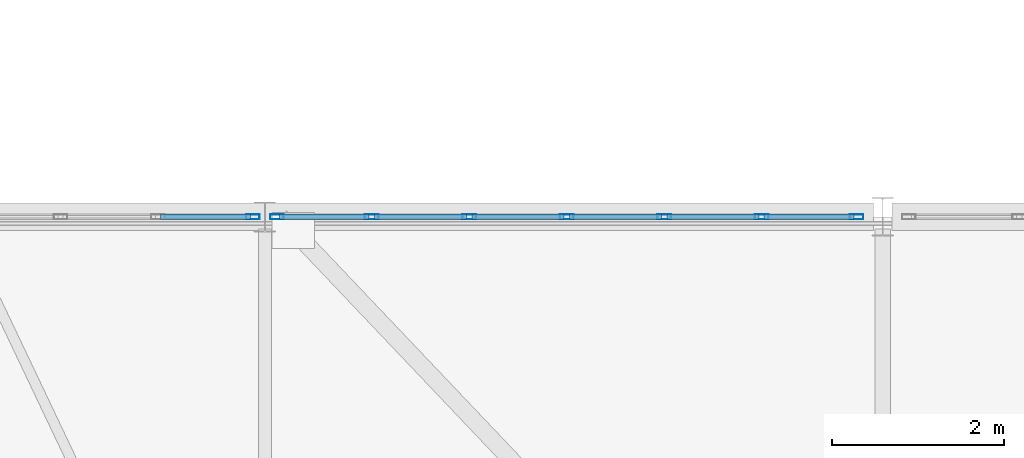
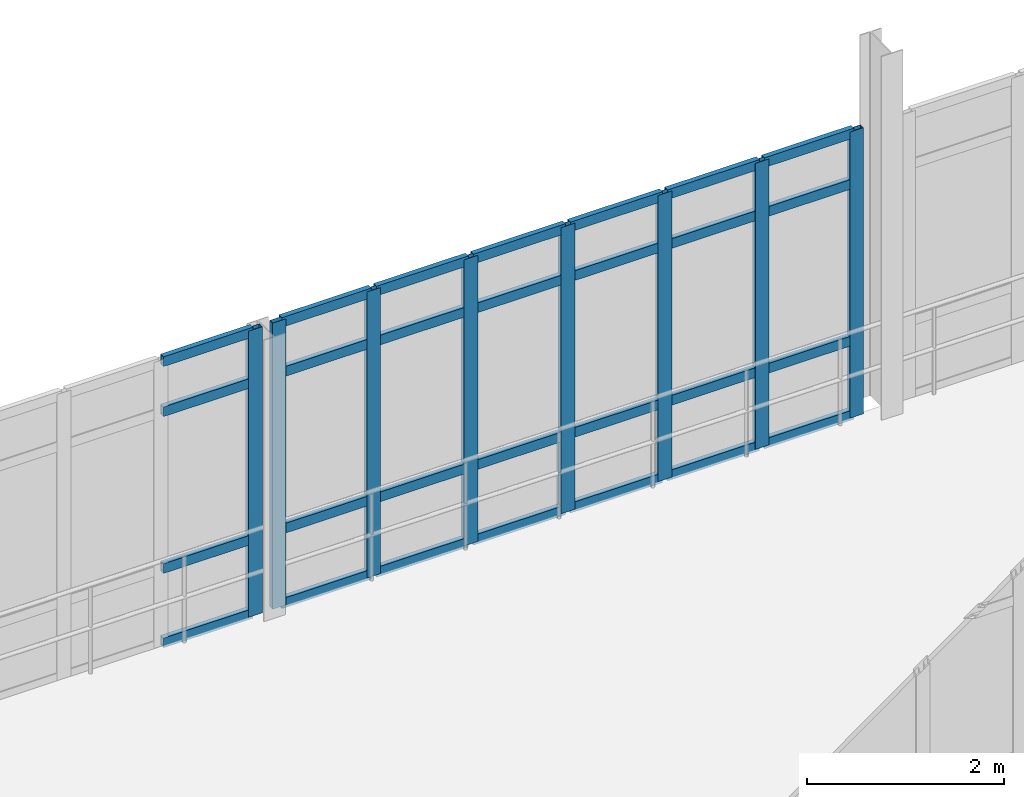
# One storey, part 48 of 124: 36 members, 2 elements without a shape of their own.
"""IFC4 building model written with IfcOpenShell, lengths in metres."""

from ifc_helpers import new_model, si_unit, direction, frame, origin, origin_2d, place, context, subcontext, project, spatial, hollow_rectangle, extrude, material, material_profile, profile_set, type_object, element, aggregate, save


model = new_model("IFC4")

# Units and contexts
model_context = context("Model", 3, precision=1e-05, world=origin(), true_north=direction((0.0, 1.0)))
body_context = subcontext(model_context, "Body", "Model", "MODEL_VIEW")
ifc_project = project(units=[si_unit("LENGTHUNIT", "METRE"), si_unit("AREAUNIT", "SQUARE_METRE"), si_unit("VOLUMEUNIT", "CUBIC_METRE"), si_unit("PLANEANGLEUNIT", "RADIAN"), si_unit("MASSUNIT", "GRAM", prefix="KILO")], contexts=[model_context])

# Site, building, storey
site_placement = place(None, origin())
site = spatial("IfcSite", under=ifc_project, at=site_placement, CompositionType="ELEMENT")
building_placement = place(site_placement, origin())
building = spatial("IfcBuilding", under=site, at=building_placement, Name="Kalluvel Institute of Natural Sciences", CompositionType="ELEMENT")
storey_placement = place(building_placement, frame((0.0, 0.0, 9.89990234375)))
storey = spatial("IfcBuildingStorey", under=building, at=storey_placement, Name="L02", CompositionType="ELEMENT", Elevation=9.89990234375)

# Curtain wall, member
ifc_material = material(Name="Aluminium AW-6063 T6", Category="aluminium")
curtain_wall_type = type_object("IfcCurtainWallType", Name="CW-BRG-45", PredefinedType="USERDEFINED", material=ifc_material)
curtain_wall_1_placement = place(storey_placement, origin())
curtain_wall_1 = element("IfcCurtainWall", 1, at=curtain_wall_1_placement, inside=storey, type_object=curtain_wall_type, Name="L02 Gothic lancet curtain wall CWA-L02-X791-Y356", ObjectType="UNITISED LANCET FACADE", PredefinedType="USERDEFINED")
ifc_material_profile_1 = material_profile(ifc_material, hollow_rectangle(XDim=0.06005859375, YDim=0.159912109375, WallThickness=0.00390625, at=origin_2d()), Name="CWM 60x160")
ifc_profile_set_1 = profile_set([ifc_material_profile_1], Name="Aluminium AW-6063 T6")
member_type_1 = type_object("IfcMemberType", Name="CWM-60x160", PredefinedType="MULLION", material=ifc_profile_set_1)
member_1_placement = place(storey_placement, frame((85.860107421875, 35.60009765625, 0.0), z_axis=(0.0, 0.0, 1.0), x_axis=(0.0, 1.0, 0.0)))
member_1 = element("IfcMember", 2, at=member_1_placement, type_object=member_type_1, Name="CW-07 mullion 7", PredefinedType="MULLION", context=body_context, shape_type="SweptSolid", body=[
    extrude(hollow_rectangle(XDim=0.06005859375, YDim=0.159912109375, WallThickness=0.00390625, at=origin_2d()), origin(), (0.0, 0.0, 1.0), 3.5400390625),
])

# Curtain wall, members
curtain_wall_2_placement = place(storey_placement, origin())
curtain_wall_2 = element("IfcCurtainWall", 3, at=curtain_wall_2_placement, inside=storey, type_object=curtain_wall_type, Name="L02 Gothic lancet curtain wall CWA-L02-X861-Y356", ObjectType="UNITISED LANCET FACADE", PredefinedType="USERDEFINED")
member_2_placement = place(storey_placement, frame((86.139892578125, 35.60009765625, 0.0), z_axis=(0.0, 0.0, 1.0), x_axis=(0.0, 1.0, 0.0)))
member_2 = element("IfcMember", 4, at=member_2_placement, type_object=member_type_1, Name="CW-07 mullion 1", PredefinedType="MULLION", context=body_context, shape_type="SweptSolid", body=[
    extrude(hollow_rectangle(XDim=0.06005859375, YDim=0.159912109375, WallThickness=0.00390625, at=origin_2d()), origin(), (0.0, 0.0, 1.0), 3.5400390625),
])
member_3_placement = place(storey_placement, frame((87.245849609375, 35.60009765625, 0.0), z_axis=(0.0, 0.0, 1.0), x_axis=(0.0, 1.0, 0.0)))
member_3 = element("IfcMember", 5, at=member_3_placement, type_object=member_type_1, Name="CW-07 mullion 2", PredefinedType="MULLION", context=body_context, shape_type="SweptSolid", body=[
    extrude(hollow_rectangle(XDim=0.06005859375, YDim=0.159912109375, WallThickness=0.00390625, at=origin_2d()), origin(), (0.0, 0.0, 1.0), 3.5400390625),
])
member_4_placement = place(storey_placement, frame((88.381591796875, 35.60009765625, 0.0), z_axis=(0.0, 0.0, 1.0), x_axis=(0.0, 1.0, 0.0)))
member_4 = element("IfcMember", 6, at=member_4_placement, type_object=member_type_1, Name="CW-07 mullion 3", PredefinedType="MULLION", context=body_context, shape_type="SweptSolid", body=[
    extrude(hollow_rectangle(XDim=0.06005859375, YDim=0.159912109375, WallThickness=0.00390625, at=origin_2d()), origin(), (0.0, 0.0, 1.0), 3.5400390625),
])
member_5_placement = place(storey_placement, frame((89.517578125, 35.60009765625, 0.0), z_axis=(0.0, 0.0, 1.0), x_axis=(0.0, 1.0, 0.0)))
member_5 = element("IfcMember", 7, at=member_5_placement, type_object=member_type_1, Name="CW-07 mullion 4", PredefinedType="MULLION", context=body_context, shape_type="SweptSolid", body=[
    extrude(hollow_rectangle(XDim=0.06005859375, YDim=0.159912109375, WallThickness=0.00390625, at=origin_2d()), origin(), (0.0, 0.0, 1.0), 3.5400390625),
])
member_6_placement = place(storey_placement, frame((90.6533203125, 35.60009765625, 0.0), z_axis=(0.0, 0.0, 1.0), x_axis=(0.0, 1.0, 0.0)))
member_6 = element("IfcMember", 8, at=member_6_placement, type_object=member_type_1, Name="CW-07 mullion 5", PredefinedType="MULLION", context=body_context, shape_type="SweptSolid", body=[
    extrude(hollow_rectangle(XDim=0.06005859375, YDim=0.159912109375, WallThickness=0.00390625, at=origin_2d()), origin(), (0.0, 0.0, 1.0), 3.5400390625),
])
member_7_placement = place(storey_placement, frame((91.7890625, 35.60009765625, 0.0), z_axis=(0.0, 0.0, 1.0), x_axis=(0.0, 1.0, 0.0)))
member_7 = element("IfcMember", 9, at=member_7_placement, type_object=member_type_1, Name="CW-07 mullion 6", PredefinedType="MULLION", context=body_context, shape_type="SweptSolid", body=[
    extrude(hollow_rectangle(XDim=0.06005859375, YDim=0.159912109375, WallThickness=0.00390625, at=origin_2d()), origin(), (0.0, 0.0, 1.0), 3.5400390625),
])
member_8_placement = place(storey_placement, frame((92.89501953125, 35.60009765625, 0.0), z_axis=(0.0, 0.0, 1.0), x_axis=(0.0, 1.0, 0.0)))
member_8 = element("IfcMember", 10, at=member_8_placement, type_object=member_type_1, Name="CW-07 mullion 7", PredefinedType="MULLION", context=body_context, shape_type="SweptSolid", body=[
    extrude(hollow_rectangle(XDim=0.06005859375, YDim=0.159912109375, WallThickness=0.00390625, at=origin_2d()), origin(), (0.0, 0.0, 1.0), 3.5400390625),
])

# Member
ifc_material_profile_2 = material_profile(ifc_material, hollow_rectangle(XDim=0.06005859375, YDim=0.1201171875, WallThickness=0.00390625, at=origin_2d()), Name="CWT 60x120")
ifc_profile_set_2 = profile_set([ifc_material_profile_2], Name="Aluminium AW-6063 T6")
member_type_2 = type_object("IfcMemberType", Name="CWT-60x120", PredefinedType="USERDEFINED", material=ifc_profile_set_2)
member_9_placement = place(storey_placement, frame((84.7841796875, 35.60009765625, 0.030029296875), z_axis=(1.0, 0.0, 0.0), x_axis=(0.0, 1.0, 0.0)))
member_9 = element("IfcMember", 11, at=member_9_placement, type_object=member_type_2, Name="CW-07 transom 6.1", ObjectType="TRANSOM", PredefinedType="USERDEFINED", context=body_context, shape_type="SweptSolid", body=[
    extrude(hollow_rectangle(XDim=0.06005859375, YDim=0.1201171875, WallThickness=0.00390625, at=origin_2d()), origin(), (0.0, 0.0, 1.0), 1.0458984375),
])

member_10_placement = place(storey_placement, frame((84.7841796875, 35.60009765625, 0.9501953125), z_axis=(1.0, 0.0, 0.0), x_axis=(0.0, 1.0, 0.0)))
member_10 = element("IfcMember", 12, at=member_10_placement, type_object=member_type_2, Name="CW-07 transom 6.2", ObjectType="TRANSOM", PredefinedType="USERDEFINED", context=body_context, shape_type="SweptSolid", body=[
    extrude(hollow_rectangle(XDim=0.06005859375, YDim=0.1201171875, WallThickness=0.00390625, at=origin_2d()), origin(), (0.0, 0.0, 1.0), 1.0458984375),
])

member_11_placement = place(storey_placement, frame((84.7841796875, 35.60009765625, 2.89013671875), z_axis=(1.0, 0.0, 0.0), x_axis=(0.0, 1.0, 0.0)))
member_11 = element("IfcMember", 13, at=member_11_placement, type_object=member_type_2, Name="CW-07 transom 6.3", ObjectType="TRANSOM", PredefinedType="USERDEFINED", context=body_context, shape_type="SweptSolid", body=[
    extrude(hollow_rectangle(XDim=0.06005859375, YDim=0.1201171875, WallThickness=0.00390625, at=origin_2d()), origin(), (0.0, 0.0, 1.0), 1.0458984375),
])

member_12_placement = place(storey_placement, frame((84.7841796875, 35.60009765625, 3.510009765625), z_axis=(1.0, 0.0, 0.0), x_axis=(0.0, 1.0, 0.0)))
member_12 = element("IfcMember", 14, at=member_12_placement, type_object=member_type_2, Name="CW-07 transom 6.4", ObjectType="TRANSOM", PredefinedType="USERDEFINED", context=body_context, shape_type="SweptSolid", body=[
    extrude(hollow_rectangle(XDim=0.06005859375, YDim=0.1201171875, WallThickness=0.00390625, at=origin_2d()), origin(), (0.0, 0.0, 1.0), 1.0458984375),
])

aggregate(curtain_wall_1, [member_1, member_9, member_10, member_11, member_12])

member_13_placement = place(storey_placement, frame((86.169921875, 35.60009765625, 0.030029296875), z_axis=(1.0, 0.0, 0.0), x_axis=(0.0, 1.0, 0.0)))
member_13 = element("IfcMember", 15, at=member_13_placement, type_object=member_type_2, Name="CW-07 transom 1.1", ObjectType="TRANSOM", PredefinedType="USERDEFINED", context=body_context, shape_type="SweptSolid", body=[
    extrude(hollow_rectangle(XDim=0.06005859375, YDim=0.1201171875, WallThickness=0.00390625, at=origin_2d()), origin(), (0.0, 0.0, 1.0), 1.0458984375),
])

member_14_placement = place(storey_placement, frame((86.169921875, 35.60009765625, 0.9501953125), z_axis=(1.0, 0.0, 0.0), x_axis=(0.0, 1.0, 0.0)))
member_14 = element("IfcMember", 16, at=member_14_placement, type_object=member_type_2, Name="CW-07 transom 1.2", ObjectType="TRANSOM", PredefinedType="USERDEFINED", context=body_context, shape_type="SweptSolid", body=[
    extrude(hollow_rectangle(XDim=0.06005859375, YDim=0.1201171875, WallThickness=0.00390625, at=origin_2d()), origin(), (0.0, 0.0, 1.0), 1.0458984375),
])

member_15_placement = place(storey_placement, frame((86.169921875, 35.60009765625, 2.89013671875), z_axis=(1.0, 0.0, 0.0), x_axis=(0.0, 1.0, 0.0)))
member_15 = element("IfcMember", 17, at=member_15_placement, type_object=member_type_2, Name="CW-07 transom 1.3", ObjectType="TRANSOM", PredefinedType="USERDEFINED", context=body_context, shape_type="SweptSolid", body=[
    extrude(hollow_rectangle(XDim=0.06005859375, YDim=0.1201171875, WallThickness=0.00390625, at=origin_2d()), origin(), (0.0, 0.0, 1.0), 1.0458984375),
])

member_16_placement = place(storey_placement, frame((86.169921875, 35.60009765625, 3.510009765625), z_axis=(1.0, 0.0, 0.0), x_axis=(0.0, 1.0, 0.0)))
member_16 = element("IfcMember", 18, at=member_16_placement, type_object=member_type_2, Name="CW-07 transom 1.4", ObjectType="TRANSOM", PredefinedType="USERDEFINED", context=body_context, shape_type="SweptSolid", body=[
    extrude(hollow_rectangle(XDim=0.06005859375, YDim=0.1201171875, WallThickness=0.00390625, at=origin_2d()), origin(), (0.0, 0.0, 1.0), 1.0458984375),
])

member_17_placement = place(storey_placement, frame((87.27587890625, 35.60009765625, 0.030029296875), z_axis=(1.0, 0.0, 0.0), x_axis=(0.0, 1.0, 0.0)))
member_17 = element("IfcMember", 19, at=member_17_placement, type_object=member_type_2, Name="CW-07 transom 2.1", ObjectType="TRANSOM", PredefinedType="USERDEFINED", context=body_context, shape_type="SweptSolid", body=[
    extrude(hollow_rectangle(XDim=0.06005859375, YDim=0.1201171875, WallThickness=0.00390625, at=origin_2d()), origin(), (0.0, 0.0, 1.0), 1.07568359375),
])

member_18_placement = place(storey_placement, frame((87.27587890625, 35.60009765625, 0.9501953125), z_axis=(1.0, 0.0, 0.0), x_axis=(0.0, 1.0, 0.0)))
member_18 = element("IfcMember", 20, at=member_18_placement, type_object=member_type_2, Name="CW-07 transom 2.2", ObjectType="TRANSOM", PredefinedType="USERDEFINED", context=body_context, shape_type="SweptSolid", body=[
    extrude(hollow_rectangle(XDim=0.06005859375, YDim=0.1201171875, WallThickness=0.00390625, at=origin_2d()), origin(), (0.0, 0.0, 1.0), 1.07568359375),
])

member_19_placement = place(storey_placement, frame((87.27587890625, 35.60009765625, 2.89013671875), z_axis=(1.0, 0.0, 0.0), x_axis=(0.0, 1.0, 0.0)))
member_19 = element("IfcMember", 21, at=member_19_placement, type_object=member_type_2, Name="CW-07 transom 2.3", ObjectType="TRANSOM", PredefinedType="USERDEFINED", context=body_context, shape_type="SweptSolid", body=[
    extrude(hollow_rectangle(XDim=0.06005859375, YDim=0.1201171875, WallThickness=0.00390625, at=origin_2d()), origin(), (0.0, 0.0, 1.0), 1.07568359375),
])

member_20_placement = place(storey_placement, frame((87.27587890625, 35.60009765625, 3.510009765625), z_axis=(1.0, 0.0, 0.0), x_axis=(0.0, 1.0, 0.0)))
member_20 = element("IfcMember", 22, at=member_20_placement, type_object=member_type_2, Name="CW-07 transom 2.4", ObjectType="TRANSOM", PredefinedType="USERDEFINED", context=body_context, shape_type="SweptSolid", body=[
    extrude(hollow_rectangle(XDim=0.06005859375, YDim=0.1201171875, WallThickness=0.00390625, at=origin_2d()), origin(), (0.0, 0.0, 1.0), 1.07568359375),
])

member_21_placement = place(storey_placement, frame((88.41162109375, 35.60009765625, 0.030029296875), z_axis=(1.0, 0.0, 0.0), x_axis=(0.0, 1.0, 0.0)))
member_21 = element("IfcMember", 23, at=member_21_placement, type_object=member_type_2, Name="CW-07 transom 3.1", ObjectType="TRANSOM", PredefinedType="USERDEFINED", context=body_context, shape_type="SweptSolid", body=[
    extrude(hollow_rectangle(XDim=0.06005859375, YDim=0.1201171875, WallThickness=0.00390625, at=origin_2d()), origin(), (0.0, 0.0, 1.0), 1.075927734375),
])

member_22_placement = place(storey_placement, frame((88.41162109375, 35.60009765625, 0.9501953125), z_axis=(1.0, 0.0, 0.0), x_axis=(0.0, 1.0, 0.0)))
member_22 = element("IfcMember", 24, at=member_22_placement, type_object=member_type_2, Name="CW-07 transom 3.2", ObjectType="TRANSOM", PredefinedType="USERDEFINED", context=body_context, shape_type="SweptSolid", body=[
    extrude(hollow_rectangle(XDim=0.06005859375, YDim=0.1201171875, WallThickness=0.00390625, at=origin_2d()), origin(), (0.0, 0.0, 1.0), 1.075927734375),
])

member_23_placement = place(storey_placement, frame((88.41162109375, 35.60009765625, 2.89013671875), z_axis=(1.0, 0.0, 0.0), x_axis=(0.0, 1.0, 0.0)))
member_23 = element("IfcMember", 25, at=member_23_placement, type_object=member_type_2, Name="CW-07 transom 3.3", ObjectType="TRANSOM", PredefinedType="USERDEFINED", context=body_context, shape_type="SweptSolid", body=[
    extrude(hollow_rectangle(XDim=0.06005859375, YDim=0.1201171875, WallThickness=0.00390625, at=origin_2d()), origin(), (0.0, 0.0, 1.0), 1.075927734375),
])

member_24_placement = place(storey_placement, frame((88.41162109375, 35.60009765625, 3.510009765625), z_axis=(1.0, 0.0, 0.0), x_axis=(0.0, 1.0, 0.0)))
member_24 = element("IfcMember", 26, at=member_24_placement, type_object=member_type_2, Name="CW-07 transom 3.4", ObjectType="TRANSOM", PredefinedType="USERDEFINED", context=body_context, shape_type="SweptSolid", body=[
    extrude(hollow_rectangle(XDim=0.06005859375, YDim=0.1201171875, WallThickness=0.00390625, at=origin_2d()), origin(), (0.0, 0.0, 1.0), 1.075927734375),
])

member_25_placement = place(storey_placement, frame((89.547607421875, 35.60009765625, 0.030029296875), z_axis=(1.0, 0.0, 0.0), x_axis=(0.0, 1.0, 0.0)))
member_25 = element("IfcMember", 27, at=member_25_placement, type_object=member_type_2, Name="CW-07 transom 4.1", ObjectType="TRANSOM", PredefinedType="USERDEFINED", context=body_context, shape_type="SweptSolid", body=[
    extrude(hollow_rectangle(XDim=0.06005859375, YDim=0.1201171875, WallThickness=0.00390625, at=origin_2d()), origin(), (0.0, 0.0, 1.0), 1.07568359375),
])

member_26_placement = place(storey_placement, frame((89.547607421875, 35.60009765625, 0.9501953125), z_axis=(1.0, 0.0, 0.0), x_axis=(0.0, 1.0, 0.0)))
member_26 = element("IfcMember", 28, at=member_26_placement, type_object=member_type_2, Name="CW-07 transom 4.2", ObjectType="TRANSOM", PredefinedType="USERDEFINED", context=body_context, shape_type="SweptSolid", body=[
    extrude(hollow_rectangle(XDim=0.06005859375, YDim=0.1201171875, WallThickness=0.00390625, at=origin_2d()), origin(), (0.0, 0.0, 1.0), 1.07568359375),
])

member_27_placement = place(storey_placement, frame((89.547607421875, 35.60009765625, 2.89013671875), z_axis=(1.0, 0.0, 0.0), x_axis=(0.0, 1.0, 0.0)))
member_27 = element("IfcMember", 29, at=member_27_placement, type_object=member_type_2, Name="CW-07 transom 4.3", ObjectType="TRANSOM", PredefinedType="USERDEFINED", context=body_context, shape_type="SweptSolid", body=[
    extrude(hollow_rectangle(XDim=0.06005859375, YDim=0.1201171875, WallThickness=0.00390625, at=origin_2d()), origin(), (0.0, 0.0, 1.0), 1.07568359375),
])

member_28_placement = place(storey_placement, frame((89.547607421875, 35.60009765625, 3.510009765625), z_axis=(1.0, 0.0, 0.0), x_axis=(0.0, 1.0, 0.0)))
member_28 = element("IfcMember", 30, at=member_28_placement, type_object=member_type_2, Name="CW-07 transom 4.4", ObjectType="TRANSOM", PredefinedType="USERDEFINED", context=body_context, shape_type="SweptSolid", body=[
    extrude(hollow_rectangle(XDim=0.06005859375, YDim=0.1201171875, WallThickness=0.00390625, at=origin_2d()), origin(), (0.0, 0.0, 1.0), 1.07568359375),
])

member_29_placement = place(storey_placement, frame((90.683349609375, 35.60009765625, 0.030029296875), z_axis=(1.0, 0.0, 0.0), x_axis=(0.0, 1.0, 0.0)))
member_29 = element("IfcMember", 31, at=member_29_placement, type_object=member_type_2, Name="CW-07 transom 5.1", ObjectType="TRANSOM", PredefinedType="USERDEFINED", context=body_context, shape_type="SweptSolid", body=[
    extrude(hollow_rectangle(XDim=0.06005859375, YDim=0.1201171875, WallThickness=0.00390625, at=origin_2d()), origin(), (0.0, 0.0, 1.0), 1.075927734375),
])

member_30_placement = place(storey_placement, frame((90.683349609375, 35.60009765625, 0.9501953125), z_axis=(1.0, 0.0, 0.0), x_axis=(0.0, 1.0, 0.0)))
member_30 = element("IfcMember", 32, at=member_30_placement, type_object=member_type_2, Name="CW-07 transom 5.2", ObjectType="TRANSOM", PredefinedType="USERDEFINED", context=body_context, shape_type="SweptSolid", body=[
    extrude(hollow_rectangle(XDim=0.06005859375, YDim=0.1201171875, WallThickness=0.00390625, at=origin_2d()), origin(), (0.0, 0.0, 1.0), 1.075927734375),
])

member_31_placement = place(storey_placement, frame((90.683349609375, 35.60009765625, 2.89013671875), z_axis=(1.0, 0.0, 0.0), x_axis=(0.0, 1.0, 0.0)))
member_31 = element("IfcMember", 33, at=member_31_placement, type_object=member_type_2, Name="CW-07 transom 5.3", ObjectType="TRANSOM", PredefinedType="USERDEFINED", context=body_context, shape_type="SweptSolid", body=[
    extrude(hollow_rectangle(XDim=0.06005859375, YDim=0.1201171875, WallThickness=0.00390625, at=origin_2d()), origin(), (0.0, 0.0, 1.0), 1.075927734375),
])

member_32_placement = place(storey_placement, frame((90.683349609375, 35.60009765625, 3.510009765625), z_axis=(1.0, 0.0, 0.0), x_axis=(0.0, 1.0, 0.0)))
member_32 = element("IfcMember", 34, at=member_32_placement, type_object=member_type_2, Name="CW-07 transom 5.4", ObjectType="TRANSOM", PredefinedType="USERDEFINED", context=body_context, shape_type="SweptSolid", body=[
    extrude(hollow_rectangle(XDim=0.06005859375, YDim=0.1201171875, WallThickness=0.00390625, at=origin_2d()), origin(), (0.0, 0.0, 1.0), 1.075927734375),
])

member_33_placement = place(storey_placement, frame((91.819091796875, 35.60009765625, 0.030029296875), z_axis=(1.0, 0.0, 0.0), x_axis=(0.0, 1.0, 0.0)))
member_33 = element("IfcMember", 35, at=member_33_placement, type_object=member_type_2, Name="CW-07 transom 6.1", ObjectType="TRANSOM", PredefinedType="USERDEFINED", context=body_context, shape_type="SweptSolid", body=[
    extrude(hollow_rectangle(XDim=0.06005859375, YDim=0.1201171875, WallThickness=0.00390625, at=origin_2d()), origin(), (0.0, 0.0, 1.0), 1.0458984375),
])

member_34_placement = place(storey_placement, frame((91.819091796875, 35.60009765625, 0.9501953125), z_axis=(1.0, 0.0, 0.0), x_axis=(0.0, 1.0, 0.0)))
member_34 = element("IfcMember", 36, at=member_34_placement, type_object=member_type_2, Name="CW-07 transom 6.2", ObjectType="TRANSOM", PredefinedType="USERDEFINED", context=body_context, shape_type="SweptSolid", body=[
    extrude(hollow_rectangle(XDim=0.06005859375, YDim=0.1201171875, WallThickness=0.00390625, at=origin_2d()), origin(), (0.0, 0.0, 1.0), 1.0458984375),
])

member_35_placement = place(storey_placement, frame((91.819091796875, 35.60009765625, 2.89013671875), z_axis=(1.0, 0.0, 0.0), x_axis=(0.0, 1.0, 0.0)))
member_35 = element("IfcMember", 37, at=member_35_placement, type_object=member_type_2, Name="CW-07 transom 6.3", ObjectType="TRANSOM", PredefinedType="USERDEFINED", context=body_context, shape_type="SweptSolid", body=[
    extrude(hollow_rectangle(XDim=0.06005859375, YDim=0.1201171875, WallThickness=0.00390625, at=origin_2d()), origin(), (0.0, 0.0, 1.0), 1.0458984375),
])

member_36_placement = place(storey_placement, frame((91.819091796875, 35.60009765625, 3.510009765625), z_axis=(1.0, 0.0, 0.0), x_axis=(0.0, 1.0, 0.0)))
member_36 = element("IfcMember", 38, at=member_36_placement, type_object=member_type_2, Name="CW-07 transom 6.4", ObjectType="TRANSOM", PredefinedType="USERDEFINED", context=body_context, shape_type="SweptSolid", body=[
    extrude(hollow_rectangle(XDim=0.06005859375, YDim=0.1201171875, WallThickness=0.00390625, at=origin_2d()), origin(), (0.0, 0.0, 1.0), 1.0458984375),
])

aggregate(curtain_wall_2, [member_2, member_3, member_4, member_5, member_6, member_7, member_8, member_13, member_14, member_15, member_16, member_17, member_18, member_19, member_20, member_21, member_22, member_23, member_24, member_25, member_26, member_27, member_28, member_29, member_30, member_31, member_32, member_33, member_34, member_35, member_36])

save(model, "model.ifc")
